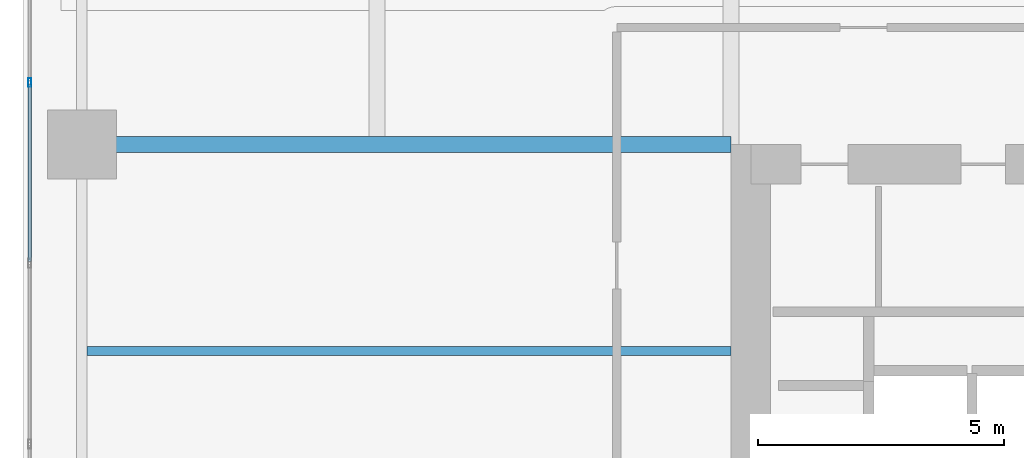
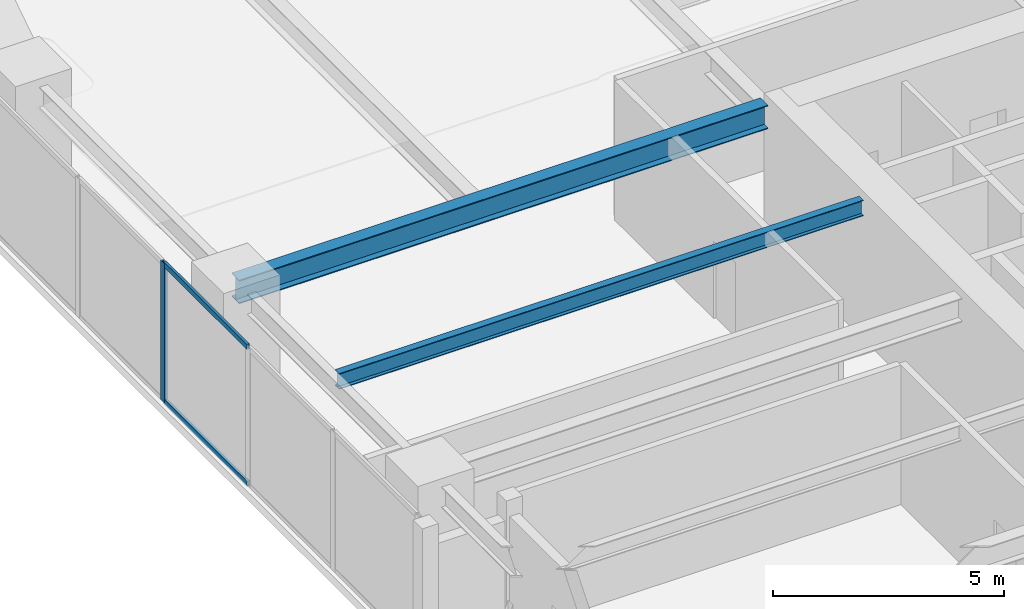
# One storey, part 6 of 30: 3 members, 2 beams, 1 element without a shape of its own.
"""IFC4 building model written with IfcOpenShell, lengths in metres."""

import ifcopenshell
import ifcopenshell.guid

model = None  # the IFC model being written
_history = None  # IfcOwnerHistory: only IFC2X3 demands one
_inside = {}  # id of a spatial element -> (the spatial element, [elements in it])
_under = {}  # id of a project, library or spatial element -> (it, [spatial elements below it])
_declared = {}  # id of a project -> (the project, [libraries it declares])
_typed = {}  # id of a type object -> (the type object, [elements of that type])
_made_of = {}  # id of a material, layer set ... -> (it, [elements and type objects made of it])


def new_model(schema):
    """Start an empty IFC model of exactly this schema.

    Asked for "IFC4X3", IfcOpenShell would pick the latest addendum, in which some entities
    have other attributes; the version numbers below select the first issue.
    IFC2X3 requires an IfcOwnerHistory on every rooted entity: one is made here for all.
    """
    global model, _history
    if schema == "IFC4X3":
        model = ifcopenshell.file(schema_version=(4, 3, 0, 0))
    else:
        model = ifcopenshell.file(schema=schema)
    _inside.clear()
    _under.clear()
    _declared.clear()
    _typed.clear()
    _made_of.clear()
    _history = None
    if model.schema == "IFC2X3":
        org = make("IfcOrganization", Name="unknown")
        user = make(
            "IfcPersonAndOrganization",
            ThePerson=make("IfcPerson", FamilyName="unknown"),
            TheOrganization=org,
        )
        app = make(
            "IfcApplication",
            ApplicationDeveloper=org,
            Version="unknown",
            ApplicationFullName="unknown",
            ApplicationIdentifier="unknown",
        )
        _history = make(
            "IfcOwnerHistory",
            OwningUser=user,
            OwningApplication=app,
            ChangeAction="ADDED",
            CreationDate=0,
        )
    return model


def make(cls, **values):
    """One entity of the class cls with the attributes given. An attribute that is None is left unset."""
    return model.create_entity(
        cls, **{name: value for name, value in values.items() if value is not None}
    )


def rooted(cls, **values):
    """An entity with a GlobalId (a new one), such as an element, a storey or a relation."""
    return make(cls, GlobalId=ifcopenshell.guid.new(), OwnerHistory=_history, **values)


def si_unit(unit_type, name, prefix=None):
    """IfcSIUnit, for example si_unit("LENGTHUNIT", "METRE", prefix="MILLI")."""
    return make("IfcSIUnit", UnitType=unit_type, Prefix=prefix, Name=name)


def assignment(units):
    """IfcUnitAssignment: the units of a project."""
    return None if units is None else make("IfcUnitAssignment", Units=units)


def point(xyz):
    """IfcCartesianPoint."""
    return None if xyz is None else make("IfcCartesianPoint", Coordinates=xyz)


def direction(xyz):
    """IfcDirection."""
    return None if xyz is None else make("IfcDirection", DirectionRatios=xyz)


def frame(location, z_axis=None, x_axis=None):
    """IfcAxis2Placement3D, a coordinate frame: its origin and axes. An axis left out is left unset."""
    return make(
        "IfcAxis2Placement3D",
        Location=point(location),
        Axis=direction(z_axis),
        RefDirection=direction(x_axis),
    )


def frame_2d(location, x_axis=None):
    """IfcAxis2Placement2D, a coordinate frame in the plane: its origin and x axis."""
    return make(
        "IfcAxis2Placement2D", Location=point(location), RefDirection=direction(x_axis)
    )


def origin():
    """The frame at (0, 0, 0) with its axes left unset."""
    return frame((0.0, 0.0, 0.0))


def origin_2d():
    """The frame at (0, 0) in the plane with its x axis left unset."""
    return frame_2d((0.0, 0.0))


def place(relative_to, where):
    """IfcLocalPlacement: puts the frame where relative to a parent placement (None: the world)."""
    return make(
        "IfcLocalPlacement", PlacementRelTo=relative_to, RelativePlacement=where
    )


def context(
    kind, dimensions, precision=None, world=None, true_north=None, identifier=None
):
    """IfcGeometricRepresentationContext, for example the 3D "Model" context."""
    return make(
        "IfcGeometricRepresentationContext",
        ContextIdentifier=identifier,
        ContextType=kind,
        CoordinateSpaceDimension=dimensions,
        Precision=precision,
        WorldCoordinateSystem=world,
        TrueNorth=true_north,
    )


def subcontext(parent, identifier, kind, view, scale=None):
    """IfcGeometricRepresentationSubContext, for example "Body" below "Model"."""
    return make(
        "IfcGeometricRepresentationSubContext",
        ContextIdentifier=identifier,
        ContextType=kind,
        ParentContext=parent,
        TargetScale=scale,
        TargetView=view,
    )


def project(units=None, contexts=None):
    """IfcProject with its units and contexts."""
    return rooted(
        "IfcProject",
        Name="project",
        RepresentationContexts=contexts,
        UnitsInContext=assignment(units),
    )


def spatial(cls, under=None, at=None, **own):
    """A site, building, storey or space (cls), placed at a placement, below another one or the project."""
    s = rooted(cls, ObjectPlacement=at, **own)
    if under is not None:
        _under.setdefault(under.id(), (under, []))[1].append(s)
    return s


def profile(cls, at=None, kind="AREA", **sizes):
    """A parametric profile (cls). Its sizes go by their IFC names, for example OverallWidth=200.0."""
    return make(cls, ProfileType=kind, Position=at, **sizes)


def hollow_rectangle(**sizes):
    """IfcRectangleHollowProfileDef."""
    return profile("IfcRectangleHollowProfileDef", **sizes)


def i_section(**sizes):
    """IfcIShapeProfileDef."""
    return profile("IfcIShapeProfileDef", **sizes)


def extrude(swept, where, along, depth):
    """IfcExtrudedAreaSolid: the profile swept, set in the frame where, extruded along a direction by depth."""
    return make(
        "IfcExtrudedAreaSolid",
        SweptArea=swept,
        Position=where,
        ExtrudedDirection=direction(along),
        Depth=depth,
    )


def shape(context_of_items, identifier, shape_type, items):
    """IfcShapeRepresentation: the items that make up one representation, for example the "Body"."""
    return make(
        "IfcShapeRepresentation",
        ContextOfItems=context_of_items,
        RepresentationIdentifier=identifier,
        RepresentationType=shape_type,
        Items=items,
    )


def material(Name=None, Category=None):
    """IfcMaterial."""
    return make("IfcMaterial", Name=Name, Category=Category)


def layer(
    of_material, thickness, ventilated=None, Name=None, Category=None, Priority=None
):
    """IfcMaterialLayer: one layer of a wall or slab, of a material (None: an air gap)."""
    return make(
        "IfcMaterialLayer",
        Material=of_material,
        LayerThickness=thickness,
        IsVentilated=ventilated,
        Name=Name,
        Category=Category,
        Priority=Priority,
    )


def layer_set(layers, Name=None):
    """IfcMaterialLayerSet."""
    return make("IfcMaterialLayerSet", MaterialLayers=layers, LayerSetName=Name)


def material_profile(
    of_material, cross_section, Name=None, Category=None, Priority=None
):
    """IfcMaterialProfile: a cross section and its material."""
    return make(
        "IfcMaterialProfile",
        Name=Name,
        Material=of_material,
        Profile=cross_section,
        Priority=Priority,
        Category=Category,
    )


def profile_set(profiles, Name=None, composite=None):
    """IfcMaterialProfileSet."""
    return make(
        "IfcMaterialProfileSet",
        Name=Name,
        MaterialProfiles=profiles,
        CompositeProfile=composite,
    )


def made_of(thing, what):
    """Note that an element or type object is made of a material, layer set ...; save() writes the relation."""
    if what is not None:
        _made_of.setdefault(what.id(), (what, []))[1].append(thing)
    return thing


def type_object(cls, material=None, **own):
    """A type object (cls), such as IfcWallType, which elements share."""
    return made_of(rooted(cls, **own), material)


def element(
    cls,
    number,
    at=None,
    inside=None,
    cuts=None,
    type_object=None,
    material=None,
    context=None,
    identifier="Body",
    shape_type=None,
    held_by="IfcProductDefinitionShape",
    body=None,
    shapes=None,
    **own,
):
    """One element of the class cls, such as IfcWall. Its Tag is "e" and its number.

    at: its placement. inside: the storey or other place that contains it. cuts: it is an
    opening in that element (IfcRelVoidsElement). A single representation is given by context,
    identifier, shape_type and body (its items); several are given by shapes. held_by: the class
    of the entity that holds the representations. save() writes the other relations.
    """
    e = rooted(cls, Tag="e%d" % number, ObjectPlacement=at, **own)
    if body is not None:
        shapes = [shape(context, identifier, shape_type, body)]
    if shapes is not None:
        e.Representation = make(held_by, Representations=shapes)
    if inside is not None:
        _inside.setdefault(inside.id(), (inside, []))[1].append(e)
    if cuts is not None:
        rooted(
            "IfcRelVoidsElement", RelatingBuildingElement=cuts, RelatedOpeningElement=e
        )
    if type_object is not None:
        _typed.setdefault(type_object.id(), (type_object, []))[1].append(e)
    return made_of(e, material)


def aggregate(whole, parts):
    """IfcRelAggregates: a whole, such as a stair, and the parts it consists of."""
    return rooted("IfcRelAggregates", RelatingObject=whole, RelatedObjects=parts)


def save(model, path):
    """Write the relations noted so far, then the file.

    IfcRelAggregates (storeys below a building ...), IfcRelContainedInSpatialStructure (elements
    in a storey), IfcRelDefinesByType, IfcRelAssociatesMaterial and IfcRelDeclares: one each for
    every whole, place, type object, material and project.
    """
    for whole, parts in _under.values():
        aggregate(whole, parts)
    for where, things in _inside.values():
        rooted(
            "IfcRelContainedInSpatialStructure",
            RelatedElements=things,
            RelatingStructure=where,
        )
    for kind, things in _typed.values():
        rooted("IfcRelDefinesByType", RelatedObjects=things, RelatingType=kind)
    for what, things in _made_of.values():
        rooted("IfcRelAssociatesMaterial", RelatedObjects=things, RelatingMaterial=what)
    for by, libraries in _declared.values():
        rooted("IfcRelDeclares", RelatingContext=by, RelatedDefinitions=libraries)
    model.write(path)


model = new_model("IFC4")

# Units and contexts
model_context = context("Model", 3, precision=1e-05, world=origin(), true_north=direction((0.0, 1.0)))
body_context = subcontext(model_context, "Body", "Model", "MODEL_VIEW")
ifc_project = project(units=[si_unit("LENGTHUNIT", "METRE"), si_unit("AREAUNIT", "SQUARE_METRE"), si_unit("VOLUMEUNIT", "CUBIC_METRE"), si_unit("PLANEANGLEUNIT", "RADIAN"), si_unit("MASSUNIT", "GRAM", prefix="KILO")], contexts=[model_context])

# Site, building, storey
site_placement = place(None, origin())
site = spatial("IfcSite", under=ifc_project, at=site_placement, CompositionType="ELEMENT")
building_placement = place(site_placement, origin())
building = spatial("IfcBuilding", under=site, at=building_placement, Name="Kiyonajd Concourse Tower", CompositionType="ELEMENT")
storey_placement = place(building_placement, frame((0.0, 0.0, 154.5)))
storey = spatial("IfcBuildingStorey", under=building, at=storey_placement, Name="L39", CompositionType="ELEMENT", Elevation=154.5)

# Beams
ifc_material_1 = material(Name="Steel ASTM A992 Grade 50", Category="steel")
ifc_material_profile_1 = material_profile(ifc_material_1, i_section(OverallWidth=0.180908203125, OverallDepth=0.4169921875, WebThickness=0.010986328125, FlangeThickness=0.018310546875, at=origin_2d()), Name="W410X85")
ifc_profile_set_1 = profile_set([ifc_material_profile_1], Name="Steel ASTM A992 Grade 50")
beam_type_1 = type_object("IfcBeamType", Name="BM-JST-410", PredefinedType="JOIST", material=ifc_profile_set_1)
beam_1_placement = place(storey_placement, frame((19.306884765625, 40.199951171875, 3.471435546875), z_axis=(1.0, 0.0, 0.0), x_axis=(0.0, 1.0, 0.0)))
element("IfcBeam", 1, at=beam_1_placement, inside=storey, type_object=beam_type_1, Name="L39 West Secondary Floor Joist", PredefinedType="JOIST", context=body_context, shape_type="SweptSolid", body=[
    extrude(i_section(OverallWidth=0.180908203125, OverallDepth=0.4169921875, WebThickness=0.010986328125, FlangeThickness=0.018310546875, at=origin_2d()), origin(), (0.0, 0.0, 1.0), 13.093017578125),
])
ifc_material_profile_2 = material_profile(ifc_material_1, i_section(OverallWidth=0.326904296875, OverallDepth=0.6220703125, WebThickness=0.015380859375, FlangeThickness=0.0244140625, at=origin_2d()), Name="W610X195")
ifc_profile_set_2 = profile_set([ifc_material_profile_2], Name="Steel ASTM A992 Grade 50")
beam_type_2 = type_object("IfcBeamType", Name="BM-TWR-610A", PredefinedType="BEAM", material=ifc_profile_set_2)
beam_2_placement = place(storey_placement, frame((19.199951171875, 44.39990234375, 3.368896484375), z_axis=(1.0, 0.0, 0.0), x_axis=(0.0, 1.0, 0.0)))
element("IfcBeam", 2, at=beam_2_placement, inside=storey, type_object=beam_type_2, Name="L39 West Lease Girder", PredefinedType="BEAM", context=body_context, shape_type="SweptSolid", body=[
    extrude(i_section(OverallWidth=0.326904296875, OverallDepth=0.6220703125, WebThickness=0.015380859375, FlangeThickness=0.0244140625, at=origin_2d()), origin(), (0.0, 0.0, 1.0), 13.199951171875),
])

# Curtain wall, members
ifc_material_2 = material(Name="Thermally Broken Anodised Aluminium", Category="aluminium")
ifc_layer = layer(ifc_material_2, 0.179931640625)
ifc_layer_set = layer_set([ifc_layer], Name="Thermally Broken Anodised Aluminium")
curtain_wall_type = type_object("IfcCurtainWallType", Name="CW-SYS-03", PredefinedType="NOTDEFINED", material=ifc_layer_set)
curtain_wall_placement = place(storey_placement, origin())
curtain_wall = element("IfcCurtainWall", 3, at=curtain_wall_placement, inside=storey, type_object=curtain_wall_type, Name="L39 Unitised Curtain Wall CW3", PredefinedType="NOTDEFINED")
ifc_material_profile_3 = material_profile(ifc_material_2, hollow_rectangle(XDim=0.06494140625, YDim=0.179931640625, WallThickness=0.00390625, at=origin_2d()), Name="MULL-65x180")
ifc_profile_set_3 = profile_set([ifc_material_profile_3], Name="Thermally Broken Anodised Aluminium")
member_type_1 = type_object("IfcMemberType", Name="MB-CW-MULL1", PredefinedType="MULLION", material=ifc_profile_set_3)
member_1_placement = place(storey_placement, frame((18.139892578125, 45.660888671875, 0.0), z_axis=(0.0, 0.0, 1.0), x_axis=(-1.0, 0.0, 0.0)))
member_1 = element("IfcMember", 4, at=member_1_placement, type_object=member_type_1, Name="CW3 mullion 4", PredefinedType="MULLION", context=body_context, shape_type="SweptSolid", body=[
    extrude(hollow_rectangle(XDim=0.06494140625, YDim=0.179931640625, WallThickness=0.00390625, at=origin_2d()), origin(), (0.0, 0.0, 1.0), 3.679931640625),
])
ifc_material_profile_4 = material_profile(ifc_material_2, hollow_rectangle(XDim=0.06494140625, YDim=0.139892578125, WallThickness=0.00390625, at=origin_2d()), Name="TRAN-65x140")
ifc_profile_set_4 = profile_set([ifc_material_profile_4], Name="Thermally Broken Anodised Aluminium")
member_type_2 = type_object("IfcMemberType", Name="MB-CW-TRAN1", PredefinedType="USERDEFINED", material=ifc_profile_set_4)
member_2_placement = place(storey_placement, frame((18.139892578125, 42.016357421875, 0.032470703125), z_axis=(0.0, 1.0, 0.0), x_axis=(-1.0, 0.0, 0.0)))
member_2 = element("IfcMember", 5, at=member_2_placement, type_object=member_type_2, Name="CW3 transom 3.1", ObjectType="TRANSOM", PredefinedType="USERDEFINED", context=body_context, shape_type="SweptSolid", body=[
    extrude(hollow_rectangle(XDim=0.06494140625, YDim=0.139892578125, WallThickness=0.00390625, at=origin_2d()), origin(), (0.0, 0.0, 1.0), 3.612060546875),
])
member_3_placement = place(storey_placement, frame((18.139892578125, 42.016357421875, 3.6474609375), z_axis=(0.0, 1.0, 0.0), x_axis=(-1.0, 0.0, 0.0)))
member_3 = element("IfcMember", 6, at=member_3_placement, type_object=member_type_2, Name="CW3 transom 3.2", ObjectType="TRANSOM", PredefinedType="USERDEFINED", context=body_context, shape_type="SweptSolid", body=[
    extrude(hollow_rectangle(XDim=0.06494140625, YDim=0.139892578125, WallThickness=0.00390625, at=origin_2d()), origin(), (0.0, 0.0, 1.0), 3.612060546875),
])
aggregate(curtain_wall, [member_1, member_2, member_3])

save(model, "model.ifc")
